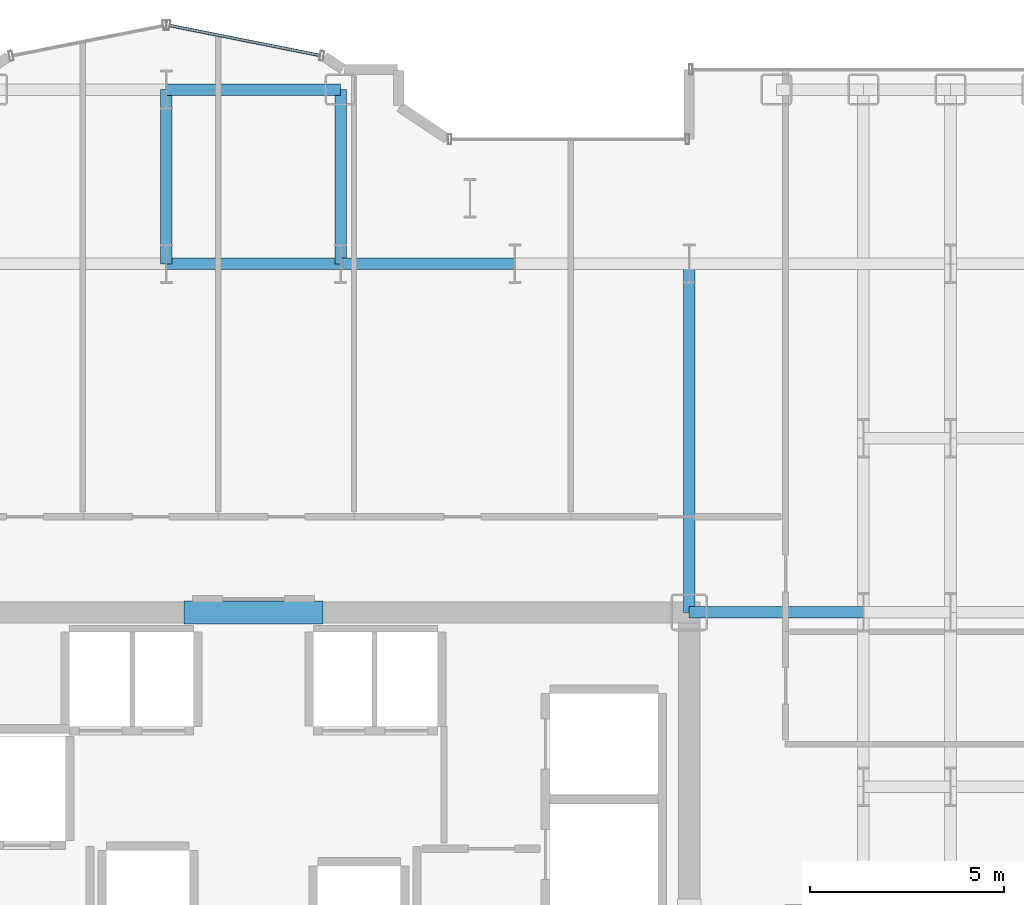
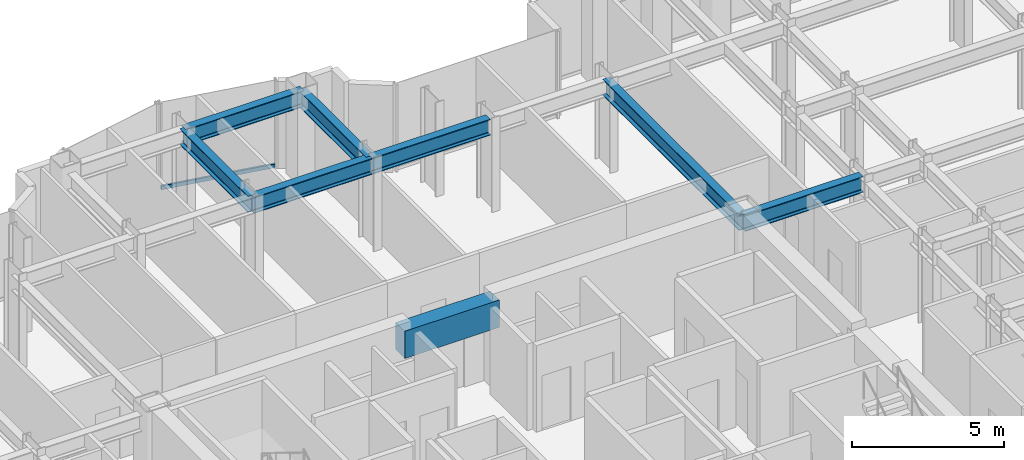
# One storey, part 11 of 26: 8 beams, 1 member, 1 element without a shape of its own.
"""IFC4 building model written with IfcOpenShell, lengths in metres."""

import ifcopenshell
import ifcopenshell.guid

model = None  # the IFC model being written
_history = None  # IfcOwnerHistory: only IFC2X3 demands one
_inside = {}  # id of a spatial element -> (the spatial element, [elements in it])
_under = {}  # id of a project, library or spatial element -> (it, [spatial elements below it])
_declared = {}  # id of a project -> (the project, [libraries it declares])
_typed = {}  # id of a type object -> (the type object, [elements of that type])
_made_of = {}  # id of a material, layer set ... -> (it, [elements and type objects made of it])


def new_model(schema):
    """Start an empty IFC model of exactly this schema.

    Asked for "IFC4X3", IfcOpenShell would pick the latest addendum, in which some entities
    have other attributes; the version numbers below select the first issue.
    IFC2X3 requires an IfcOwnerHistory on every rooted entity: one is made here for all.
    """
    global model, _history
    if schema == "IFC4X3":
        model = ifcopenshell.file(schema_version=(4, 3, 0, 0))
    else:
        model = ifcopenshell.file(schema=schema)
    _inside.clear()
    _under.clear()
    _declared.clear()
    _typed.clear()
    _made_of.clear()
    _history = None
    if model.schema == "IFC2X3":
        org = make("IfcOrganization", Name="unknown")
        user = make(
            "IfcPersonAndOrganization",
            ThePerson=make("IfcPerson", FamilyName="unknown"),
            TheOrganization=org,
        )
        app = make(
            "IfcApplication",
            ApplicationDeveloper=org,
            Version="unknown",
            ApplicationFullName="unknown",
            ApplicationIdentifier="unknown",
        )
        _history = make(
            "IfcOwnerHistory",
            OwningUser=user,
            OwningApplication=app,
            ChangeAction="ADDED",
            CreationDate=0,
        )
    return model


def make(cls, **values):
    """One entity of the class cls with the attributes given. An attribute that is None is left unset."""
    return model.create_entity(
        cls, **{name: value for name, value in values.items() if value is not None}
    )


def rooted(cls, **values):
    """An entity with a GlobalId (a new one), such as an element, a storey or a relation."""
    return make(cls, GlobalId=ifcopenshell.guid.new(), OwnerHistory=_history, **values)


def si_unit(unit_type, name, prefix=None):
    """IfcSIUnit, for example si_unit("LENGTHUNIT", "METRE", prefix="MILLI")."""
    return make("IfcSIUnit", UnitType=unit_type, Prefix=prefix, Name=name)


def assignment(units):
    """IfcUnitAssignment: the units of a project."""
    return None if units is None else make("IfcUnitAssignment", Units=units)


def point(xyz):
    """IfcCartesianPoint."""
    return None if xyz is None else make("IfcCartesianPoint", Coordinates=xyz)


def direction(xyz):
    """IfcDirection."""
    return None if xyz is None else make("IfcDirection", DirectionRatios=xyz)


def frame(location, z_axis=None, x_axis=None):
    """IfcAxis2Placement3D, a coordinate frame: its origin and axes. An axis left out is left unset."""
    return make(
        "IfcAxis2Placement3D",
        Location=point(location),
        Axis=direction(z_axis),
        RefDirection=direction(x_axis),
    )


def frame_2d(location, x_axis=None):
    """IfcAxis2Placement2D, a coordinate frame in the plane: its origin and x axis."""
    return make(
        "IfcAxis2Placement2D", Location=point(location), RefDirection=direction(x_axis)
    )


def origin():
    """The frame at (0, 0, 0) with its axes left unset."""
    return frame((0.0, 0.0, 0.0))


def origin_2d():
    """The frame at (0, 0) in the plane with its x axis left unset."""
    return frame_2d((0.0, 0.0))


def place(relative_to, where):
    """IfcLocalPlacement: puts the frame where relative to a parent placement (None: the world)."""
    return make(
        "IfcLocalPlacement", PlacementRelTo=relative_to, RelativePlacement=where
    )


def context(
    kind, dimensions, precision=None, world=None, true_north=None, identifier=None
):
    """IfcGeometricRepresentationContext, for example the 3D "Model" context."""
    return make(
        "IfcGeometricRepresentationContext",
        ContextIdentifier=identifier,
        ContextType=kind,
        CoordinateSpaceDimension=dimensions,
        Precision=precision,
        WorldCoordinateSystem=world,
        TrueNorth=true_north,
    )


def subcontext(parent, identifier, kind, view, scale=None):
    """IfcGeometricRepresentationSubContext, for example "Body" below "Model"."""
    return make(
        "IfcGeometricRepresentationSubContext",
        ContextIdentifier=identifier,
        ContextType=kind,
        ParentContext=parent,
        TargetScale=scale,
        TargetView=view,
    )


def project(units=None, contexts=None):
    """IfcProject with its units and contexts."""
    return rooted(
        "IfcProject",
        Name="project",
        RepresentationContexts=contexts,
        UnitsInContext=assignment(units),
    )


def spatial(cls, under=None, at=None, **own):
    """A site, building, storey or space (cls), placed at a placement, below another one or the project."""
    s = rooted(cls, ObjectPlacement=at, **own)
    if under is not None:
        _under.setdefault(under.id(), (under, []))[1].append(s)
    return s


def profile(cls, at=None, kind="AREA", **sizes):
    """A parametric profile (cls). Its sizes go by their IFC names, for example OverallWidth=200.0."""
    return make(cls, ProfileType=kind, Position=at, **sizes)


def rectangle(**sizes):
    """IfcRectangleProfileDef."""
    return profile("IfcRectangleProfileDef", **sizes)


def hollow_rectangle(**sizes):
    """IfcRectangleHollowProfileDef."""
    return profile("IfcRectangleHollowProfileDef", **sizes)


def i_section(**sizes):
    """IfcIShapeProfileDef."""
    return profile("IfcIShapeProfileDef", **sizes)


def extrude(swept, where, along, depth):
    """IfcExtrudedAreaSolid: the profile swept, set in the frame where, extruded along a direction by depth."""
    return make(
        "IfcExtrudedAreaSolid",
        SweptArea=swept,
        Position=where,
        ExtrudedDirection=direction(along),
        Depth=depth,
    )


def shape(context_of_items, identifier, shape_type, items):
    """IfcShapeRepresentation: the items that make up one representation, for example the "Body"."""
    return make(
        "IfcShapeRepresentation",
        ContextOfItems=context_of_items,
        RepresentationIdentifier=identifier,
        RepresentationType=shape_type,
        Items=items,
    )


def source(mapping_origin, context_of_items, identifier, shape_type, items):
    """IfcRepresentationMap: a shape defined once, which mapped items show again and again."""
    return make(
        "IfcRepresentationMap",
        MappingOrigin=mapping_origin,
        MappedRepresentation=shape(context_of_items, identifier, shape_type, items),
    )


def transform(
    local_origin,
    x_axis=None,
    y_axis=None,
    z_axis=None,
    scale=None,
    scale2=None,
    scale3=None,
    uniform=True,
):
    """IfcCartesianTransformationOperator3D, or its non-uniform kind. x_axis, y_axis, z_axis: its Axis1, 2, 3."""
    if uniform:
        return make(
            "IfcCartesianTransformationOperator3D",
            Axis1=direction(x_axis),
            Axis2=direction(y_axis),
            LocalOrigin=point(local_origin),
            Scale=scale,
            Axis3=direction(z_axis),
        )
    return make(
        "IfcCartesianTransformationOperator3DnonUniform",
        Axis1=direction(x_axis),
        Axis2=direction(y_axis),
        LocalOrigin=point(local_origin),
        Scale=scale,
        Axis3=direction(z_axis),
        Scale2=scale2,
        Scale3=scale3,
    )


def mapped(mapping_source, mapping_target):
    """IfcMappedItem: shows the shape of a source again, moved by a transform."""
    return make(
        "IfcMappedItem", MappingSource=mapping_source, MappingTarget=mapping_target
    )


def material(Name=None, Category=None):
    """IfcMaterial."""
    return make("IfcMaterial", Name=Name, Category=Category)


def layer(
    of_material, thickness, ventilated=None, Name=None, Category=None, Priority=None
):
    """IfcMaterialLayer: one layer of a wall or slab, of a material (None: an air gap)."""
    return make(
        "IfcMaterialLayer",
        Material=of_material,
        LayerThickness=thickness,
        IsVentilated=ventilated,
        Name=Name,
        Category=Category,
        Priority=Priority,
    )


def layer_set(layers, Name=None):
    """IfcMaterialLayerSet."""
    return make("IfcMaterialLayerSet", MaterialLayers=layers, LayerSetName=Name)


def material_profile(
    of_material, cross_section, Name=None, Category=None, Priority=None
):
    """IfcMaterialProfile: a cross section and its material."""
    return make(
        "IfcMaterialProfile",
        Name=Name,
        Material=of_material,
        Profile=cross_section,
        Priority=Priority,
        Category=Category,
    )


def profile_set(profiles, Name=None, composite=None):
    """IfcMaterialProfileSet."""
    return make(
        "IfcMaterialProfileSet",
        Name=Name,
        MaterialProfiles=profiles,
        CompositeProfile=composite,
    )


def made_of(thing, what):
    """Note that an element or type object is made of a material, layer set ...; save() writes the relation."""
    if what is not None:
        _made_of.setdefault(what.id(), (what, []))[1].append(thing)
    return thing


def type_object(cls, material=None, **own):
    """A type object (cls), such as IfcWallType, which elements share."""
    return made_of(rooted(cls, **own), material)


def element(
    cls,
    number,
    at=None,
    inside=None,
    cuts=None,
    type_object=None,
    material=None,
    context=None,
    identifier="Body",
    shape_type=None,
    held_by="IfcProductDefinitionShape",
    body=None,
    shapes=None,
    **own,
):
    """One element of the class cls, such as IfcWall. Its Tag is "e" and its number.

    at: its placement. inside: the storey or other place that contains it. cuts: it is an
    opening in that element (IfcRelVoidsElement). A single representation is given by context,
    identifier, shape_type and body (its items); several are given by shapes. held_by: the class
    of the entity that holds the representations. save() writes the other relations.
    """
    e = rooted(cls, Tag="e%d" % number, ObjectPlacement=at, **own)
    if body is not None:
        shapes = [shape(context, identifier, shape_type, body)]
    if shapes is not None:
        e.Representation = make(held_by, Representations=shapes)
    if inside is not None:
        _inside.setdefault(inside.id(), (inside, []))[1].append(e)
    if cuts is not None:
        rooted(
            "IfcRelVoidsElement", RelatingBuildingElement=cuts, RelatedOpeningElement=e
        )
    if type_object is not None:
        _typed.setdefault(type_object.id(), (type_object, []))[1].append(e)
    return made_of(e, material)


def aggregate(whole, parts):
    """IfcRelAggregates: a whole, such as a stair, and the parts it consists of."""
    return rooted("IfcRelAggregates", RelatingObject=whole, RelatedObjects=parts)


def save(model, path):
    """Write the relations noted so far, then the file.

    IfcRelAggregates (storeys below a building ...), IfcRelContainedInSpatialStructure (elements
    in a storey), IfcRelDefinesByType, IfcRelAssociatesMaterial and IfcRelDeclares: one each for
    every whole, place, type object, material and project.
    """
    for whole, parts in _under.values():
        aggregate(whole, parts)
    for where, things in _inside.values():
        rooted(
            "IfcRelContainedInSpatialStructure",
            RelatedElements=things,
            RelatingStructure=where,
        )
    for kind, things in _typed.values():
        rooted("IfcRelDefinesByType", RelatedObjects=things, RelatingType=kind)
    for what, things in _made_of.values():
        rooted("IfcRelAssociatesMaterial", RelatedObjects=things, RelatingMaterial=what)
    for by, libraries in _declared.values():
        rooted("IfcRelDeclares", RelatingContext=by, RelatedDefinitions=libraries)
    model.write(path)


model = new_model("IFC4")

# Units and contexts
model_context = context("Model", 3, precision=1e-05, world=origin(), true_north=direction((0.0, 1.0)))
body_context = subcontext(model_context, "Body", "Model", "MODEL_VIEW")
ifc_project = project(units=[si_unit("LENGTHUNIT", "METRE"), si_unit("AREAUNIT", "SQUARE_METRE"), si_unit("VOLUMEUNIT", "CUBIC_METRE"), si_unit("PLANEANGLEUNIT", "RADIAN"), si_unit("MASSUNIT", "GRAM", prefix="KILO")], contexts=[model_context])

# Site, building, storey
site_placement = place(None, origin())
site = spatial("IfcSite", under=ifc_project, at=site_placement, CompositionType="ELEMENT")
building_placement = place(site_placement, origin())
building = spatial("IfcBuilding", under=site, at=building_placement, Name="Nefas-Gora Pilgrimage Tower", CompositionType="ELEMENT")
storey_placement = place(building_placement, frame((0.0, 0.0, 140.199951171875)))
storey = spatial("IfcBuildingStorey", under=building, at=storey_placement, Name="L34", CompositionType="ELEMENT", Elevation=140.199951171875)

# Beams
ifc_material_1 = material(Name="Concrete C60/75", Category="concrete")
ifc_material_profile_1 = material_profile(ifc_material_1, rectangle(XDim=0.60009765625, YDim=1.10009765625, at=origin_2d()), Name="RC 600x1100")
ifc_profile_set_1 = profile_set([ifc_material_profile_1], Name="Concrete C60/75")
beam_type_1 = type_object("IfcBeamType", Name="BM-LIN-RC1100", PredefinedType="LINTEL", material=ifc_profile_set_1)
shared_shape_1 = source(origin(), body_context, "Body", "SweptSolid", [
    extrude(rectangle(XDim=0.60009765625, YDim=1.10009765625, at=origin_2d()), origin(), (0.0, 0.0, 1.0), 3.60009765625),
])
beam_1_placement = place(storey_placement, frame((-1.800048828125, 9.0, 2.949951171875), z_axis=(1.0, 0.0, 0.0), x_axis=(0.0, 1.0, 0.0)))
element("IfcBeam", 1, at=beam_1_placement, inside=storey, type_object=beam_type_1, Name="L34 Core Coupling Lintel Beam N", PredefinedType="LINTEL", context=body_context, shape_type="MappedRepresentation", body=[
    mapped(shared_shape_1, transform((0.0, 0.0, 0.0), x_axis=(1.0, 0.0, 0.0), y_axis=(0.0, 1.0, 0.0), z_axis=(0.0, 0.0, 1.0), scale=1.0)),
])
ifc_material_2 = material(Name="Steel S355", Category="steel")
ifc_material_profile_2 = material_profile(ifc_material_2, i_section(OverallWidth=0.300048828125, OverallDepth=0.64990234375, WebThickness=0.01611328125, FlangeThickness=0.031005859375, FilletRadius=0.027099609375, at=origin_2d()), Name="HEB 650")
ifc_profile_set_2 = profile_set([ifc_material_profile_2], Name="Steel S355")
beam_type_2 = type_object("IfcBeamType", Name="BM-GIR-HEB650", PredefinedType="BEAM", material=ifc_profile_set_2)
shared_shape_2 = source(origin(), body_context, "Body", "SweptSolid", [
    extrude(i_section(OverallWidth=0.300048828125, OverallDepth=0.64990234375, WebThickness=0.01611328125, FlangeThickness=0.031005859375, FilletRadius=0.027099609375, at=origin_2d()), origin(), (0.0, 0.0, 1.0), 9.0),
])
beam_2_placement = place(storey_placement, frame((11.25, 9.0, 3.175048828125), z_axis=(0.0, 1.0, 0.0), x_axis=(-1.0, 0.0, 0.0)))
element("IfcBeam", 2, at=beam_2_placement, inside=storey, type_object=beam_type_2, Name="L34 G-03 beam", PredefinedType="BEAM", context=body_context, shape_type="MappedRepresentation", body=[
    mapped(shared_shape_2, transform((0.0, 0.0, 0.0), x_axis=(1.0, 0.0, 0.0), y_axis=(0.0, 1.0, 0.0), z_axis=(0.0, 0.0, 1.0), scale=1.0)),
])
shared_shape_3 = source(origin(), body_context, "Body", "SweptSolid", [
    extrude(i_section(OverallWidth=0.300048828125, OverallDepth=0.64990234375, WebThickness=0.01611328125, FlangeThickness=0.031005859375, FilletRadius=0.027099609375, at=origin_2d()), origin(), (0.0, 0.0, 1.0), 4.5),
])
for number, where, z_axis, x_axis, name in (
    (3, (-2.25, 18.0, 3.175048828125), (0.0, 1.0, 0.0), (-1.0, 0.0, 0.0), "L34 G-03 beam"),
    (4, (-2.25, 18.0, 3.175048828125), (1.0, 0.0, 0.0), (0.0, 1.0, 0.0), "L34 G-03 beam"),
    (5, (-2.25, 22.5, 3.175048828125), (1.0, 0.0, 0.0), (0.0, 1.0, 0.0), "L34 G-03 beam"),
    (6, (2.25, 18.0, 3.175048828125), (0.0, 1.0, 0.0), (-1.0, 0.0, 0.0), "L34 G-03 beam"),
    (7, (2.25, 18.0, 3.175048828125), (1.0, 0.0, 0.0), (0.0, 1.0, 0.0), "L34 G-03 beam"),
    (8, (11.25, 9.0, 3.175048828125), (1.0, 0.0, 0.0), (0.0, 1.0, 0.0), "L34 G-03 beam"),
):
    element("IfcBeam", number, at=place(storey_placement, frame(where, z_axis=z_axis, x_axis=x_axis)), inside=storey, type_object=beam_type_2, Name=name, PredefinedType="BEAM", context=body_context, shape_type="MappedRepresentation", body=[
        mapped(shared_shape_3, transform((0.0, 0.0, 0.0), x_axis=(1.0, 0.0, 0.0), y_axis=(0.0, 1.0, 0.0), z_axis=(0.0, 0.0, 1.0), scale=1.0)),
    ])

# Curtain wall, member
ifc_material_3 = material(Name="Dark ceramic-fritted solar-control aluminium-glass curtain wall", Category="aluminium")
ifc_layer = layer(ifc_material_3, 0.219970703125)
ifc_layer_set = layer_set([ifc_layer], Name="Dark ceramic-fritted solar-control aluminium-glass curtain wall")
curtain_wall_type = type_object("IfcCurtainWallType", Name="CW-SYS-5", PredefinedType="NOTDEFINED", material=ifc_layer_set)
curtain_wall_placement = place(storey_placement, origin())
curtain_wall = element("IfcCurtainWall", 9, at=curtain_wall_placement, inside=storey, type_object=curtain_wall_type, Name="L34 Unitised Curtain Wall CW5", PredefinedType="NOTDEFINED")
ifc_material_4 = material(Name="Anodised architectural aluminium", Category="aluminium")
ifc_material_profile_3 = material_profile(ifc_material_4, hollow_rectangle(XDim=0.080078125, YDim=0.159912109375, WallThickness=0.00439453125, InnerFilletRadius=0.00439453125, OuterFilletRadius=0.009033203125, at=origin_2d()), Name="ALU TRANSOM 80x160")
ifc_profile_set_3 = profile_set([ifc_material_profile_3], Name="Anodised architectural aluminium")
member_type = type_object("IfcMemberType", Name="CWM-TRN-5", PredefinedType="USERDEFINED", material=ifc_profile_set_3)
shared_shape_4 = source(origin(), body_context, "Body", "SweptSolid", [
    extrude(hollow_rectangle(XDim=0.080078125, YDim=0.159912109375, WallThickness=0.00439453125, InnerFilletRadius=0.00439453125, OuterFilletRadius=0.009033203125, at=origin_2d()), origin(), (0.0, 0.0, 1.0), 3.95654296875),
])
member_placement = place(storey_placement, frame((1.718994140625, 23.3828125, 0.050048828125), z_axis=(-0.980781880918, 0.195107411605, 0.0), x_axis=(-0.195107411605, -0.980781880918, 0.0)))
member = element("IfcMember", 10, at=member_placement, type_object=member_type, Name="CW5 Spandrel Transom", ObjectType="TRANSOM", PredefinedType="USERDEFINED", context=body_context, shape_type="MappedRepresentation", body=[
    mapped(shared_shape_4, transform((0.0, 0.0, 0.0), x_axis=(1.0, 0.0, 0.0), y_axis=(0.0, 1.0, 0.0), z_axis=(0.0, 0.0, 1.0), scale=1.0)),
])
aggregate(curtain_wall, [member])

save(model, "model.ifc")
